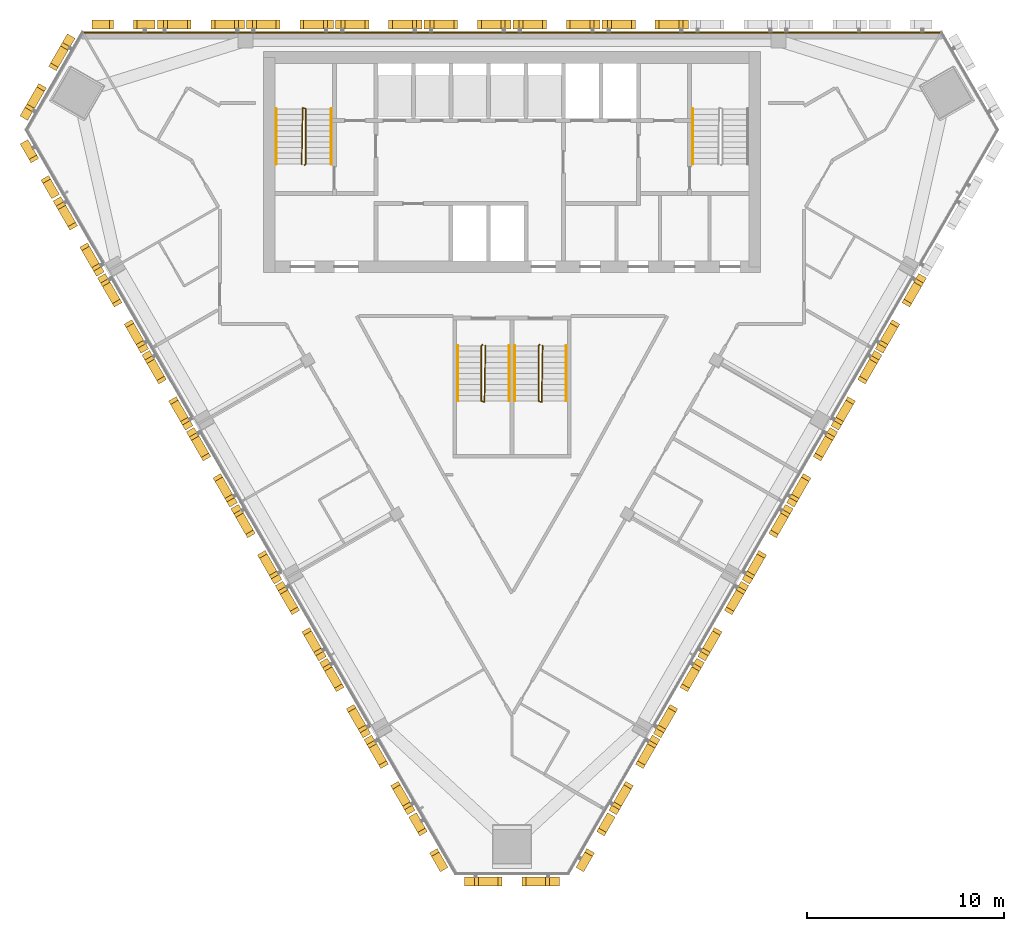
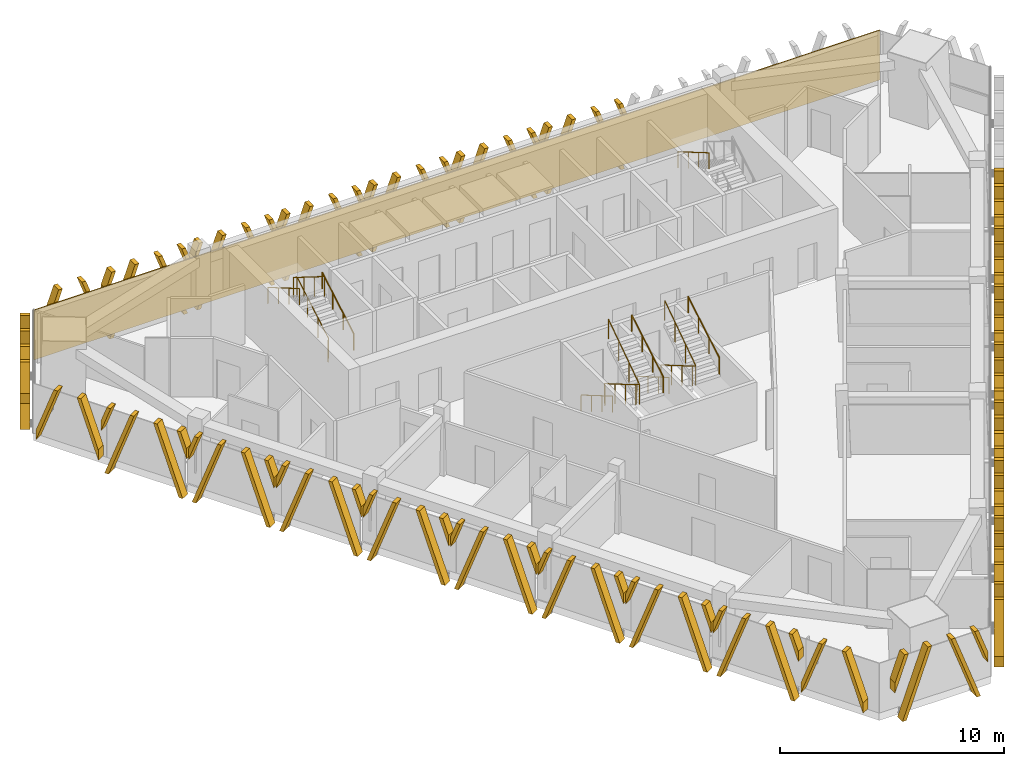
# One storey, part 12 of 14: 27 shading devices, 10 railings, 1 covering.
"""IFC4 building model written with IfcOpenShell, lengths in metres."""

from ifc_helpers import new_model, si_unit, direction, frame, frame_2d, origin, origin_2d, place, context, subcontext, project, spatial, polyline, rectangle, circle, outline, extrude, source, transform, mapped, material, layer, layer_set, type_object, element, save


model = new_model("IFC4")

# Units and contexts
model_context = context("Model", 3, precision=1e-05, world=origin(), true_north=direction((0.0, 1.0)))
body_context = subcontext(model_context, "Body", "Model", "MODEL_VIEW")
ifc_project = project(units=[si_unit("LENGTHUNIT", "METRE"), si_unit("AREAUNIT", "SQUARE_METRE"), si_unit("VOLUMEUNIT", "CUBIC_METRE"), si_unit("PLANEANGLEUNIT", "RADIAN"), si_unit("MASSUNIT", "GRAM", prefix="KILO")], contexts=[model_context])

# Site, building, storey
site_placement = place(None, origin())
site = spatial("IfcSite", under=ifc_project, at=site_placement, CompositionType="ELEMENT")
building_placement = place(site_placement, origin())
building = spatial("IfcBuilding", under=site, at=building_placement, Name="Altiplano Prism Tower", CompositionType="ELEMENT")
storey_placement = place(building_placement, frame((0.0, 0.0, 226.60009765625)))
storey = spatial("IfcBuildingStorey", under=building, at=storey_placement, Name="L58", CompositionType="ELEMENT", Elevation=226.60009765625)

# Railings
ifc_material_1 = material(Name="Steel S355", Category="steel")
railing_type_1 = type_object("IfcRailingType", Name="Stair guard 1100", PredefinedType="GUARDRAIL", material=ifc_material_1)
railing_1_placement = place(storey_placement, frame((74.5, 98.25, 0.0)))
element("IfcRailing", 1, at=railing_1_placement, inside=storey, type_object=railing_type_1, Name="L58 ST1 stair guard 1", PredefinedType="GUARDRAIL", context=body_context, shape_type="SweptSolid", body=[
    extrude(circle(Radius=0.02392578125, at=origin_2d()), frame((0.0, 0.0, 1.076171875), z_axis=(0.280808744504, 0.280808744504, 0.917765164963), x_axis=(-0.707106781187, 0.707106781187, 0.0)), (0.0, 0.0, 1.0), 0.17822265625),
    extrude(circle(Radius=0.02392578125, at=origin_2d()), frame((0.050048828125, 0.050048828125, 1.23974609375), z_axis=(0.0, 0.863393664356, 0.504530851732), x_axis=(-1.0, 0.0, 0.0)), (0.0, 0.0, 1.0), 3.2431640625),
    extrude(circle(Radius=0.02392578125, at=origin_2d()), frame((0.050048828125, 2.85009765625, 2.8759765625), z_axis=(-0.949145278916, 0.314838433982, 0.0), x_axis=(-0.314838433982, -0.949145278916, 0.0)), (0.0, 0.0, 1.0), 0.158203125),
    extrude(circle(Radius=0.02392578125, at=origin_2d()), frame((-0.10009765625, 2.89990234375, 2.8759765625), z_axis=(-0.01477401265, -0.845377694409, 0.533964682676), x_axis=(0.999847325713, -0.01747355902, 0.0)), (0.0, 0.0, 1.0), 3.37109375),
    extrude(circle(Radius=0.02099609375, at=origin_2d()), origin(), (0.0, 0.0, 1.0), 1.052001953125),
    extrude(circle(Radius=0.02099609375, at=origin_2d()), frame((0.050048828125, 0.050048828125, 0.16357421875)), (0.0, 0.0, 1.0), 1.052001953125),
    extrude(circle(Radius=0.02099609375, at=origin_2d()), frame((0.050048828125, 0.9833984375, 0.708984375)), (0.0, 0.0, 1.0), 1.052001953125),
    extrude(circle(Radius=0.02099609375, at=origin_2d()), frame((0.050048828125, 1.916748046875, 1.25439453125)), (0.0, 0.0, 1.0), 1.052001953125),
    extrude(circle(Radius=0.02099609375, at=origin_2d()), frame((0.050048828125, 2.85009765625, 1.7998046875)), (0.0, 0.0, 1.0), 1.052001953125),
    extrude(circle(Radius=0.02099609375, at=origin_2d()), frame((-0.10009765625, 2.89990234375, 1.7998046875)), (0.0, 0.0, 1.0), 1.052001953125),
    extrude(circle(Radius=0.02099609375, at=origin_2d()), frame((-0.11669921875, 1.949951171875, 2.39990234375)), (0.0, 0.0, 1.0), 1.052001953125),
    extrude(circle(Radius=0.02099609375, at=origin_2d()), frame((-0.13330078125, 1.0, 2.999755859375)), (0.0, 0.0, 1.0), 1.052001953125),
    extrude(circle(Radius=0.02099609375, at=origin_2d()), frame((-0.14990234375, 0.050048828125, 3.599853515625)), (0.0, 0.0, 1.0), 1.052001953125),
])
railing_2_placement = place(storey_placement, frame((83.5, 89.14990234375, 0.0)))
element("IfcRailing", 2, at=railing_2_placement, inside=storey, type_object=railing_type_1, Name="L58 ST3A stair guard 1", PredefinedType="GUARDRAIL", context=body_context, shape_type="SweptSolid", body=[
    extrude(circle(Radius=0.02392578125, at=origin_2d()), frame((0.0, 0.0, 1.076171875), z_axis=(-0.280916556609, -0.279546231943, 0.91811752648), x_axis=(0.705375805398, -0.708833529934, 0.0)), (0.0, 0.0, 1.0), 0.17822265625),
    extrude(circle(Radius=0.02392578125, at=origin_2d()), frame((-0.050048828125, -0.0498046875, 1.23974609375), z_axis=(0.0, -0.863393664356, 0.504530851732), x_axis=(1.0, 0.0, 0.0)), (0.0, 0.0, 1.0), 3.2431640625),
    extrude(circle(Radius=0.02392578125, at=origin_2d()), frame((-0.050048828125, -2.849853515625, 2.8759765625), z_axis=(0.948683298051, -0.316227766017, 0.0), x_axis=(0.316227766017, 0.948683298051, 0.0)), (0.0, 0.0, 1.0), 0.158203125),
    extrude(circle(Radius=0.02392578125, at=origin_2d()), frame((0.10009765625, -2.89990234375, 2.8759765625), z_axis=(0.014773108175, 0.84539835705, 0.533931993021), x_axis=(-0.999847351862, 0.017472062685, 0.0)), (0.0, 0.0, 1.0), 3.371337890625),
    extrude(circle(Radius=0.02099609375, at=origin_2d()), origin(), (0.0, 0.0, 1.0), 1.052001953125),
    extrude(circle(Radius=0.02099609375, at=origin_2d()), frame((-0.050048828125, -0.0498046875, 0.16357421875)), (0.0, 0.0, 1.0), 1.052001953125),
    extrude(circle(Radius=0.02099609375, at=origin_2d()), frame((-0.050048828125, -0.983154296875, 0.708984375)), (0.0, 0.0, 1.0), 1.052001953125),
    extrude(circle(Radius=0.02099609375, at=origin_2d()), frame((-0.050048828125, -1.91650390625, 1.25439453125)), (0.0, 0.0, 1.0), 1.052001953125),
    extrude(circle(Radius=0.02099609375, at=origin_2d()), frame((-0.050048828125, -2.849853515625, 1.7998046875)), (0.0, 0.0, 1.0), 1.052001953125),
    extrude(circle(Radius=0.02099609375, at=origin_2d()), frame((0.10009765625, -2.89990234375, 1.7998046875)), (0.0, 0.0, 1.0), 1.052001953125),
    extrude(circle(Radius=0.02099609375, at=origin_2d()), frame((0.11669921875, -1.949951171875, 2.39990234375)), (0.0, 0.0, 1.0), 1.052001953125),
    extrude(circle(Radius=0.02099609375, at=origin_2d()), frame((0.13330078125, -0.999755859375, 2.999755859375)), (0.0, 0.0, 1.0), 1.052001953125),
    extrude(circle(Radius=0.02099609375, at=origin_2d()), frame((0.14990234375, -0.0498046875, 3.599853515625)), (0.0, 0.0, 1.0), 1.052001953125),
])
railing_3_placement = place(storey_placement, frame((86.39990234375, 89.14990234375, 0.0)))
element("IfcRailing", 3, at=railing_3_placement, inside=storey, type_object=railing_type_1, Name="L58 ST3B stair guard 1", PredefinedType="GUARDRAIL", context=body_context, shape_type="SweptSolid", body=[
    extrude(circle(Radius=0.02392578125, at=origin_2d()), frame((0.0, 0.0, 1.076171875), z_axis=(-0.279653641804, -0.279653641804, 0.918470294159), x_axis=(0.707106781187, -0.707106781187, 0.0)), (0.0, 0.0, 1.0), 0.177978515625),
    extrude(circle(Radius=0.02392578125, at=origin_2d()), frame((-0.0498046875, -0.0498046875, 1.23974609375), z_axis=(0.0, -0.863393664356, 0.504530851732), x_axis=(1.0, 0.0, 0.0)), (0.0, 0.0, 1.0), 3.2431640625),
    extrude(circle(Radius=0.02392578125, at=origin_2d()), frame((-0.0498046875, -2.849853515625, 2.8759765625), z_axis=(0.948528701346, -0.316691178788, 0.0), x_axis=(0.316691178788, 0.948528701346, 0.0)), (0.0, 0.0, 1.0), 0.157958984375),
    extrude(circle(Radius=0.02392578125, at=origin_2d()), frame((0.10009765625, -2.89990234375, 2.8759765625), z_axis=(0.014845509451, 0.845397450405, 0.533931420407), x_axis=(-0.999845851991, 0.017557683712, 0.0)), (0.0, 0.0, 1.0), 3.371337890625),
    extrude(circle(Radius=0.02099609375, at=origin_2d()), origin(), (0.0, 0.0, 1.0), 1.052001953125),
    extrude(circle(Radius=0.02099609375, at=origin_2d()), frame((-0.0498046875, -0.0498046875, 0.16357421875)), (0.0, 0.0, 1.0), 1.052001953125),
    extrude(circle(Radius=0.02099609375, at=origin_2d()), frame((-0.0498046875, -0.983154296875, 0.708984375)), (0.0, 0.0, 1.0), 1.052001953125),
    extrude(circle(Radius=0.02099609375, at=origin_2d()), frame((-0.0498046875, -1.91650390625, 1.25439453125)), (0.0, 0.0, 1.0), 1.052001953125),
    extrude(circle(Radius=0.02099609375, at=origin_2d()), frame((-0.0498046875, -2.849853515625, 1.7998046875)), (0.0, 0.0, 1.0), 1.052001953125),
    extrude(circle(Radius=0.02099609375, at=origin_2d()), frame((0.10009765625, -2.89990234375, 1.7998046875)), (0.0, 0.0, 1.0), 1.052001953125),
    extrude(circle(Radius=0.02099609375, at=origin_2d()), frame((0.11669921875, -1.949951171875, 2.39990234375)), (0.0, 0.0, 1.0), 1.052001953125),
    extrude(circle(Radius=0.02099609375, at=origin_2d()), frame((0.133544921875, -0.999755859375, 2.999755859375)), (0.0, 0.0, 1.0), 1.052001953125),
    extrude(circle(Radius=0.02099609375, at=origin_2d()), frame((0.150146484375, -0.0498046875, 3.599853515625)), (0.0, 0.0, 1.0), 1.052001953125),
])
railing_type_2 = type_object("IfcRailingType", Name="Stair handrail 900", PredefinedType="HANDRAIL", material=ifc_material_1)
railing_4_placement = place(storey_placement, frame((75.85009765625, 98.300048828125, 0.16357421875)))
element("IfcRailing", 4, at=railing_4_placement, inside=storey, type_object=railing_type_2, Name="L58 ST1 stair handrail 1", PredefinedType="HANDRAIL", context=body_context, shape_type="SweptSolid", body=[
    extrude(circle(Radius=0.02392578125, at=origin_2d()), frame((0.0, 0.0, 0.8759765625), z_axis=(0.0, 0.863393664356, 0.504530851732), x_axis=(-1.0, 0.0, 0.0)), (0.0, 0.0, 1.0), 3.2431640625),
    extrude(circle(Radius=0.02099609375, at=origin_2d()), origin(), (0.0, 0.0, 1.0), 0.851806640625),
    extrude(circle(Radius=0.02099609375, at=origin_2d()), frame((0.0, 0.933349609375, 0.54541015625)), (0.0, 0.0, 1.0), 0.851806640625),
    extrude(circle(Radius=0.02099609375, at=origin_2d()), frame((0.0, 1.86669921875, 1.0908203125)), (0.0, 0.0, 1.0), 0.851806640625),
    extrude(circle(Radius=0.02099609375, at=origin_2d()), frame((0.0, 2.800048828125, 1.63623046875)), (0.0, 0.0, 1.0), 0.851806640625),
])
for number, where, name in (
    (5, (73.050048828125, 101.10009765625, 1.963623046875), "L58 ST1 stair handrail 2"),
    (6, (94.14990234375, 101.10009765625, 1.963623046875), "L58 ST2 stair handrail 2"),
    (7, (82.25, 89.10009765625, 0.16357421875), "L58 ST3A stair handrail 1"),
):
    element("IfcRailing", number, at=place(storey_placement, frame(where)), inside=storey, type_object=railing_type_2, Name=name, PredefinedType="HANDRAIL", context=body_context, shape_type="SweptSolid", body=[
        extrude(circle(Radius=0.02392578125, at=origin_2d()), frame((0.0, 0.0, 0.8759765625), z_axis=(0.0, -0.863393664356, 0.504530851732), x_axis=(1.0, 0.0, 0.0)), (0.0, 0.0, 1.0), 3.2431640625),
        extrude(circle(Radius=0.02099609375, at=origin_2d()), origin(), (0.0, 0.0, 1.0), 0.851806640625),
        extrude(circle(Radius=0.02099609375, at=origin_2d()), frame((0.0, -0.933349609375, 0.54541015625)), (0.0, 0.0, 1.0), 0.851806640625),
        extrude(circle(Radius=0.02099609375, at=origin_2d()), frame((0.0, -1.86669921875, 1.0908203125)), (0.0, 0.0, 1.0), 0.851806640625),
        extrude(circle(Radius=0.02099609375, at=origin_2d()), frame((0.0, -2.800048828125, 1.63623046875)), (0.0, 0.0, 1.0), 0.851806640625),
    ])
railing_5_placement = place(storey_placement, frame((84.85009765625, 86.300048828125, 1.963623046875)))
element("IfcRailing", 8, at=railing_5_placement, inside=storey, type_object=railing_type_2, Name="L58 ST3A stair handrail 2", PredefinedType="HANDRAIL", context=body_context, shape_type="SweptSolid", body=[
    extrude(circle(Radius=0.02392578125, at=origin_2d()), frame((0.0, 0.0, 0.8759765625), z_axis=(0.0, 0.863393664356, 0.504530851732), x_axis=(-1.0, 0.0, 0.0)), (0.0, 0.0, 1.0), 3.2431640625),
    extrude(circle(Radius=0.02099609375, at=origin_2d()), origin(), (0.0, 0.0, 1.0), 0.851806640625),
    extrude(circle(Radius=0.02099609375, at=origin_2d()), frame((0.0, 0.933349609375, 0.54541015625)), (0.0, 0.0, 1.0), 0.851806640625),
    extrude(circle(Radius=0.02099609375, at=origin_2d()), frame((0.0, 1.86669921875, 1.0908203125)), (0.0, 0.0, 1.0), 0.851806640625),
    extrude(circle(Radius=0.02099609375, at=origin_2d()), frame((0.0, 2.800048828125, 1.63623046875)), (0.0, 0.0, 1.0), 0.851806640625),
])
railing_6_placement = place(storey_placement, frame((85.14990234375, 89.10009765625, 0.16357421875)))
element("IfcRailing", 9, at=railing_6_placement, inside=storey, type_object=railing_type_2, Name="L58 ST3B stair handrail 1", PredefinedType="HANDRAIL", context=body_context, shape_type="SweptSolid", body=[
    extrude(circle(Radius=0.02392578125, at=origin_2d()), frame((0.0, 0.0, 0.8759765625), z_axis=(0.0, -0.863393664356, 0.504530851732), x_axis=(1.0, 0.0, 0.0)), (0.0, 0.0, 1.0), 3.2431640625),
    extrude(circle(Radius=0.02099609375, at=origin_2d()), origin(), (0.0, 0.0, 1.0), 0.851806640625),
    extrude(circle(Radius=0.02099609375, at=origin_2d()), frame((0.0, -0.933349609375, 0.54541015625)), (0.0, 0.0, 1.0), 0.851806640625),
    extrude(circle(Radius=0.02099609375, at=origin_2d()), frame((0.0, -1.86669921875, 1.0908203125)), (0.0, 0.0, 1.0), 0.851806640625),
    extrude(circle(Radius=0.02099609375, at=origin_2d()), frame((0.0, -2.800048828125, 1.63623046875)), (0.0, 0.0, 1.0), 0.851806640625),
])
railing_7_placement = place(storey_placement, frame((87.75, 86.300048828125, 1.963623046875)))
element("IfcRailing", 10, at=railing_7_placement, inside=storey, type_object=railing_type_2, Name="L58 ST3B stair handrail 2", PredefinedType="HANDRAIL", context=body_context, shape_type="SweptSolid", body=[
    extrude(circle(Radius=0.02392578125, at=origin_2d()), frame((0.0, 0.0, 0.8759765625), z_axis=(0.0, 0.863393664356, 0.504530851732), x_axis=(-1.0, 0.0, 0.0)), (0.0, 0.0, 1.0), 3.2431640625),
    extrude(circle(Radius=0.02099609375, at=origin_2d()), origin(), (0.0, 0.0, 1.0), 0.851806640625),
    extrude(circle(Radius=0.02099609375, at=origin_2d()), frame((0.0, 0.933349609375, 0.54541015625)), (0.0, 0.0, 1.0), 0.851806640625),
    extrude(circle(Radius=0.02099609375, at=origin_2d()), frame((0.0, 1.86669921875, 1.0908203125)), (0.0, 0.0, 1.0), 0.851806640625),
    extrude(circle(Radius=0.02099609375, at=origin_2d()), frame((0.0, 2.800048828125, 1.63623046875)), (0.0, 0.0, 1.0), 0.851806640625),
])

# Covering
ifc_material_2 = material(Name="Warm limestone cast stone", Category="masonry")
ifc_layer = layer(ifc_material_2, 0.06005859375)
ifc_layer_set = layer_set([ifc_layer], Name="Warm limestone cast stone")
covering_type = type_object("IfcCoveringType", Name="Stone cladding 60", PredefinedType="CLADDING", material=ifc_layer_set)
covering_placement = place(storey_placement, frame((63.229248046875, 104.969970703125, 0.0), z_axis=(0.0, 0.0, 1.0), x_axis=(1.0, 0.0, 0.0)))
element("IfcCovering", 11, at=covering_placement, inside=storey, type_object=covering_type, Name="Stone cladding north face L58", PredefinedType="CLADDING", context=body_context, shape_type="SweptSolid", body=[
    extrude(rectangle(XDim=43.54150390625, YDim=0.06005859375, at=frame_2d((21.770751953125, 0.0))), origin(), (0.0, 0.0, 1.0), 2.699951171875),
])

# Shading devices
shading_device_type_1 = type_object("IfcShadingDeviceType", Name="Stone fin panel, narrow closing bay", PredefinedType="USERDEFINED", material=ifc_material_2)
shared_shape_1 = source(origin(), body_context, "Body", "SweptSolid", [
    extrude(outline(polyline([(-1.60009765625, 0.577880859375), (-0.5, 3.60009765625), (-0.699951171875, 3.60009765625), (-1.60009765625, 1.127197265625), (-1.60009765625, 0.577880859375)])), frame((0.0, -0.14990234375, 0.0), z_axis=(0.0, -1.0, 0.0), x_axis=(1.0, 0.0, 0.0)), (0.0, 0.0, 1.0), 0.4501953125),
    extrude(outline(polyline([(1.60009765625, 1.127197265625), (0.699951171875, 3.60009765625), (0.5, 3.60009765625), (1.60009765625, 0.577880859375), (1.60009765625, 1.127197265625)])), frame((0.0, -0.14990234375, 0.0), z_axis=(0.0, -1.0, 0.0), x_axis=(1.0, 0.0, 0.0)), (0.0, 0.0, 1.0), 0.4501953125),
])
shading_device_1_placement = place(storey_placement, origin())
element("IfcShadingDevice", 12, at=shading_device_1_placement, inside=storey, type_object=shading_device_type_1, Name="Fin L58 north face 10", ObjectType="FIN", PredefinedType="USERDEFINED", context=body_context, shape_type="MappedRepresentation", body=[
    mapped(shared_shape_1, transform((65.314697265625, 105.0, -0.400146484375), x_axis=(-1.0, 0.0, 0.0), y_axis=(0.0, -1.0, 0.0), z_axis=(0.0, 0.0, 1.0))),
])
shading_device_2_placement = place(storey_placement, origin())
element("IfcShadingDevice", 13, at=shading_device_2_placement, inside=storey, type_object=shading_device_type_1, Name="Fin L58 south-west face 1", ObjectType="FIN", PredefinedType="USERDEFINED", context=body_context, shape_type="MappedRepresentation", body=[
    mapped(shared_shape_1, transform((61.40576171875, 98.2294921875, -0.400146484375), x_axis=(0.500000003773, -0.866025401606, 0.0), y_axis=(0.866025401606, 0.500000003773, 0.0), z_axis=(0.0, 0.0, 1.0))),
])
shading_device_3_placement = place(storey_placement, origin())
element("IfcShadingDevice", 14, at=shading_device_3_placement, inside=storey, type_object=shading_device_type_1, Name="Fin L58 south-west face 10", ObjectType="FIN", PredefinedType="USERDEFINED", context=body_context, shape_type="MappedRepresentation", body=[
    mapped(shared_shape_1, transform((81.091064453125, 64.133544921875, -0.400146484375), x_axis=(0.500000003773, -0.866025401606, 0.0), y_axis=(0.866025401606, 0.500000003773, 0.0), z_axis=(0.0, 0.0, 1.0))),
])
shading_device_4_placement = place(storey_placement, origin())
element("IfcShadingDevice", 15, at=shading_device_4_placement, inside=storey, type_object=shading_device_type_1, Name="Fin L58 south-east face 1", ObjectType="FIN", PredefinedType="USERDEFINED", context=body_context, shape_type="MappedRepresentation", body=[
    mapped(shared_shape_1, transform((88.908935546875, 64.133544921875, -0.400146484375), x_axis=(0.500000003773, 0.866025401606, 0.0), y_axis=(-0.866025401606, 0.500000003773, 0.0), z_axis=(0.0, 0.0, 1.0))),
])
shading_device_type_2 = type_object("IfcShadingDeviceType", Name="Stone fin panel, standard unit", PredefinedType="USERDEFINED", material=ifc_material_2)
shared_shape_2 = source(origin(), body_context, "Body", "SweptSolid", [
    extrude(outline(polyline([(-2.199951171875, 2.226318359375), (-1.699951171875, 3.60009765625), (-1.89990234375, 3.60009765625), (-2.199951171875, 2.77587890625), (-2.199951171875, 2.226318359375)])), frame((0.0, -0.14990234375, 0.0), z_axis=(0.0, -1.0, 0.0), x_axis=(1.0, 0.0, 0.0)), (0.0, 0.0, 1.0), 0.4501953125),
    extrude(outline(polyline([(-2.01025390625, 0.0), (-1.810302734375, 0.0), (-0.5, 3.60009765625), (-0.699951171875, 3.60009765625), (-2.01025390625, 0.0)])), frame((0.0, -0.14990234375, 0.0), z_axis=(0.0, -1.0, 0.0), x_axis=(1.0, 0.0, 0.0)), (0.0, 0.0, 1.0), 0.4501953125),
    extrude(outline(polyline([(1.810302734375, 0.0), (2.01025390625, 0.0), (0.699951171875, 3.60009765625), (0.5, 3.60009765625), (1.810302734375, 0.0)])), frame((0.0, -0.14990234375, 0.0), z_axis=(0.0, -1.0, 0.0), x_axis=(1.0, 0.0, 0.0)), (0.0, 0.0, 1.0), 0.4501953125),
    extrude(outline(polyline([(2.199951171875, 2.77587890625), (1.89990234375, 3.60009765625), (1.699951171875, 3.60009765625), (2.199951171875, 2.226318359375), (2.199951171875, 2.77587890625)])), frame((0.0, -0.14990234375, 0.0), z_axis=(0.0, -1.0, 0.0), x_axis=(1.0, 0.0, 0.0)), (0.0, 0.0, 1.0), 0.4501953125),
])
shading_device_5_placement = place(storey_placement, origin())
element("IfcShadingDevice", 16, at=shading_device_5_placement, inside=storey, type_object=shading_device_type_2, Name="Fin L58 north face 4", ObjectType="FIN", PredefinedType="USERDEFINED", context=body_context, shape_type="MappedRepresentation", body=[
    mapped(shared_shape_2, transform((91.75, 105.0, -0.400146484375), x_axis=(-1.0, 0.0, 0.0), y_axis=(0.0, -1.0, 0.0), z_axis=(0.0, 0.0, 1.0))),
])
shading_device_6_placement = place(storey_placement, origin())
element("IfcShadingDevice", 17, at=shading_device_6_placement, inside=storey, type_object=shading_device_type_2, Name="Fin L58 north face 5", ObjectType="FIN", PredefinedType="USERDEFINED", context=body_context, shape_type="MappedRepresentation", body=[
    mapped(shared_shape_2, transform((87.25, 105.0, -0.400146484375), x_axis=(-1.0, 0.0, 0.0), y_axis=(0.0, -1.0, 0.0), z_axis=(0.0, 0.0, 1.0))),
])
shading_device_7_placement = place(storey_placement, origin())
element("IfcShadingDevice", 18, at=shading_device_7_placement, inside=storey, type_object=shading_device_type_2, Name="Fin L58 north face 6", ObjectType="FIN", PredefinedType="USERDEFINED", context=body_context, shape_type="MappedRepresentation", body=[
    mapped(shared_shape_2, transform((82.75, 105.0, -0.400146484375), x_axis=(-1.0, 0.0, 0.0), y_axis=(0.0, -1.0, 0.0), z_axis=(0.0, 0.0, 1.0))),
])
shading_device_8_placement = place(storey_placement, origin())
element("IfcShadingDevice", 19, at=shading_device_8_placement, inside=storey, type_object=shading_device_type_2, Name="Fin L58 north face 7", ObjectType="FIN", PredefinedType="USERDEFINED", context=body_context, shape_type="MappedRepresentation", body=[
    mapped(shared_shape_2, transform((78.25, 105.0, -0.400146484375), x_axis=(-1.0, 0.0, 0.0), y_axis=(0.0, -1.0, 0.0), z_axis=(0.0, 0.0, 1.0))),
])
shading_device_9_placement = place(storey_placement, origin())
element("IfcShadingDevice", 20, at=shading_device_9_placement, inside=storey, type_object=shading_device_type_2, Name="Fin L58 north face 8", ObjectType="FIN", PredefinedType="USERDEFINED", context=body_context, shape_type="MappedRepresentation", body=[
    mapped(shared_shape_2, transform((73.75, 105.0, -0.400146484375), x_axis=(-1.0, 0.0, 0.0), y_axis=(0.0, -1.0, 0.0), z_axis=(0.0, 0.0, 1.0))),
])
shading_device_10_placement = place(storey_placement, origin())
element("IfcShadingDevice", 21, at=shading_device_10_placement, inside=storey, type_object=shading_device_type_2, Name="Fin L58 north face 9", ObjectType="FIN", PredefinedType="USERDEFINED", context=body_context, shape_type="MappedRepresentation", body=[
    mapped(shared_shape_2, transform((69.25, 105.0, -0.400146484375), x_axis=(-1.0, 0.0, 0.0), y_axis=(0.0, -1.0, 0.0), z_axis=(0.0, 0.0, 1.0))),
])
shading_device_11_placement = place(storey_placement, origin())
element("IfcShadingDevice", 22, at=shading_device_11_placement, inside=storey, type_object=shading_device_type_2, Name="Fin L58 south-west face 2", ObjectType="FIN", PredefinedType="USERDEFINED", context=body_context, shape_type="MappedRepresentation", body=[
    mapped(shared_shape_2, transform((63.37353515625, 94.821533203125, -0.400146484375), x_axis=(0.500000003773, -0.866025401606, 0.0), y_axis=(0.866025401606, 0.500000003773, 0.0), z_axis=(0.0, 0.0, 1.0))),
])
shading_device_12_placement = place(storey_placement, origin())
element("IfcShadingDevice", 23, at=shading_device_12_placement, inside=storey, type_object=shading_device_type_2, Name="Fin L58 south-west face 3", ObjectType="FIN", PredefinedType="USERDEFINED", context=body_context, shape_type="MappedRepresentation", body=[
    mapped(shared_shape_2, transform((65.62353515625, 90.92431640625, -0.400146484375), x_axis=(0.500000003773, -0.866025401606, 0.0), y_axis=(0.866025401606, 0.500000003773, 0.0), z_axis=(0.0, 0.0, 1.0))),
])
shading_device_13_placement = place(storey_placement, origin())
element("IfcShadingDevice", 24, at=shading_device_13_placement, inside=storey, type_object=shading_device_type_2, Name="Fin L58 south-west face 4", ObjectType="FIN", PredefinedType="USERDEFINED", context=body_context, shape_type="MappedRepresentation", body=[
    mapped(shared_shape_2, transform((67.87353515625, 87.02734375, -0.400146484375), x_axis=(0.500000003773, -0.866025401606, 0.0), y_axis=(0.866025401606, 0.500000003773, 0.0), z_axis=(0.0, 0.0, 1.0))),
])
shading_device_14_placement = place(storey_placement, origin())
element("IfcShadingDevice", 25, at=shading_device_14_placement, inside=storey, type_object=shading_device_type_2, Name="Fin L58 south-west face 5", ObjectType="FIN", PredefinedType="USERDEFINED", context=body_context, shape_type="MappedRepresentation", body=[
    mapped(shared_shape_2, transform((70.12353515625, 83.130126953125, -0.400146484375), x_axis=(0.500000003773, -0.866025401606, 0.0), y_axis=(0.866025401606, 0.500000003773, 0.0), z_axis=(0.0, 0.0, 1.0))),
])
shading_device_15_placement = place(storey_placement, origin())
element("IfcShadingDevice", 26, at=shading_device_15_placement, inside=storey, type_object=shading_device_type_2, Name="Fin L58 south-west face 6", ObjectType="FIN", PredefinedType="USERDEFINED", context=body_context, shape_type="MappedRepresentation", body=[
    mapped(shared_shape_2, transform((72.37353515625, 79.233154296875, -0.400146484375), x_axis=(0.500000003773, -0.866025401606, 0.0), y_axis=(0.866025401606, 0.500000003773, 0.0), z_axis=(0.0, 0.0, 1.0))),
])
shading_device_16_placement = place(storey_placement, origin())
element("IfcShadingDevice", 27, at=shading_device_16_placement, inside=storey, type_object=shading_device_type_2, Name="Fin L58 south-west face 7", ObjectType="FIN", PredefinedType="USERDEFINED", context=body_context, shape_type="MappedRepresentation", body=[
    mapped(shared_shape_2, transform((74.62353515625, 75.3359375, -0.400146484375), x_axis=(0.500000003773, -0.866025401606, 0.0), y_axis=(0.866025401606, 0.500000003773, 0.0), z_axis=(0.0, 0.0, 1.0))),
])
shading_device_17_placement = place(storey_placement, origin())
element("IfcShadingDevice", 28, at=shading_device_17_placement, inside=storey, type_object=shading_device_type_2, Name="Fin L58 south-west face 8", ObjectType="FIN", PredefinedType="USERDEFINED", context=body_context, shape_type="MappedRepresentation", body=[
    mapped(shared_shape_2, transform((76.87353515625, 71.438720703125, -0.400146484375), x_axis=(0.500000003773, -0.866025401606, 0.0), y_axis=(0.866025401606, 0.500000003773, 0.0), z_axis=(0.0, 0.0, 1.0))),
])
shading_device_18_placement = place(storey_placement, origin())
element("IfcShadingDevice", 29, at=shading_device_18_placement, inside=storey, type_object=shading_device_type_2, Name="Fin L58 south-west face 9", ObjectType="FIN", PredefinedType="USERDEFINED", context=body_context, shape_type="MappedRepresentation", body=[
    mapped(shared_shape_2, transform((79.12353515625, 67.541748046875, -0.400146484375), x_axis=(0.500000003773, -0.866025401606, 0.0), y_axis=(0.866025401606, 0.500000003773, 0.0), z_axis=(0.0, 0.0, 1.0))),
])
shading_device_19_placement = place(storey_placement, origin())
element("IfcShadingDevice", 30, at=shading_device_19_placement, inside=storey, type_object=shading_device_type_2, Name="Fin L58 south-east face 2", ObjectType="FIN", PredefinedType="USERDEFINED", context=body_context, shape_type="MappedRepresentation", body=[
    mapped(shared_shape_2, transform((90.87646484375, 67.541748046875, -0.400146484375), x_axis=(0.500000003773, 0.866025401606, 0.0), y_axis=(-0.866025401606, 0.500000003773, 0.0), z_axis=(0.0, 0.0, 1.0))),
])
shading_device_20_placement = place(storey_placement, origin())
element("IfcShadingDevice", 31, at=shading_device_20_placement, inside=storey, type_object=shading_device_type_2, Name="Fin L58 south-east face 3", ObjectType="FIN", PredefinedType="USERDEFINED", context=body_context, shape_type="MappedRepresentation", body=[
    mapped(shared_shape_2, transform((93.12646484375, 71.438720703125, -0.400146484375), x_axis=(0.500000003773, 0.866025401606, 0.0), y_axis=(-0.866025401606, 0.500000003773, 0.0), z_axis=(0.0, 0.0, 1.0))),
])
shading_device_21_placement = place(storey_placement, origin())
element("IfcShadingDevice", 32, at=shading_device_21_placement, inside=storey, type_object=shading_device_type_2, Name="Fin L58 south-east face 4", ObjectType="FIN", PredefinedType="USERDEFINED", context=body_context, shape_type="MappedRepresentation", body=[
    mapped(shared_shape_2, transform((95.37646484375, 75.3359375, -0.400146484375), x_axis=(0.500000003773, 0.866025401606, 0.0), y_axis=(-0.866025401606, 0.500000003773, 0.0), z_axis=(0.0, 0.0, 1.0))),
])
shading_device_22_placement = place(storey_placement, origin())
element("IfcShadingDevice", 33, at=shading_device_22_placement, inside=storey, type_object=shading_device_type_2, Name="Fin L58 south-east face 5", ObjectType="FIN", PredefinedType="USERDEFINED", context=body_context, shape_type="MappedRepresentation", body=[
    mapped(shared_shape_2, transform((97.62646484375, 79.233154296875, -0.400146484375), x_axis=(0.500000003773, 0.866025401606, 0.0), y_axis=(-0.866025401606, 0.500000003773, 0.0), z_axis=(0.0, 0.0, 1.0))),
])
shading_device_23_placement = place(storey_placement, origin())
element("IfcShadingDevice", 34, at=shading_device_23_placement, inside=storey, type_object=shading_device_type_2, Name="Fin L58 south-east face 6", ObjectType="FIN", PredefinedType="USERDEFINED", context=body_context, shape_type="MappedRepresentation", body=[
    mapped(shared_shape_2, transform((99.87646484375, 83.130126953125, -0.400146484375), x_axis=(0.500000003773, 0.866025401606, 0.0), y_axis=(-0.866025401606, 0.500000003773, 0.0), z_axis=(0.0, 0.0, 1.0))),
])
shading_device_24_placement = place(storey_placement, origin())
element("IfcShadingDevice", 35, at=shading_device_24_placement, inside=storey, type_object=shading_device_type_2, Name="Fin L58 south-east face 7", ObjectType="FIN", PredefinedType="USERDEFINED", context=body_context, shape_type="MappedRepresentation", body=[
    mapped(shared_shape_2, transform((102.12646484375, 87.02734375, -0.400146484375), x_axis=(0.500000003773, 0.866025401606, 0.0), y_axis=(-0.866025401606, 0.500000003773, 0.0), z_axis=(0.0, 0.0, 1.0))),
])
shading_device_25_placement = place(storey_placement, origin())
element("IfcShadingDevice", 36, at=shading_device_25_placement, inside=storey, type_object=shading_device_type_2, Name="Fin L58 south-east face 8", ObjectType="FIN", PredefinedType="USERDEFINED", context=body_context, shape_type="MappedRepresentation", body=[
    mapped(shared_shape_2, transform((104.37646484375, 90.92431640625, -0.400146484375), x_axis=(0.500000003773, 0.866025401606, 0.0), y_axis=(-0.866025401606, 0.500000003773, 0.0), z_axis=(0.0, 0.0, 1.0))),
])
shading_device_type_3 = type_object("IfcShadingDeviceType", Name="Stone fin panel, chamfer unit", PredefinedType="USERDEFINED", material=ifc_material_2)
shared_shape_3 = source(origin(), body_context, "Body", "SweptSolid", [
    extrude(outline(polyline([(-2.39990234375, 1.6767578125), (-1.699951171875, 3.60009765625), (-1.89990234375, 3.60009765625), (-2.39990234375, 2.226318359375), (-2.39990234375, 1.6767578125)])), frame((0.0, -0.14990234375, 0.0), z_axis=(0.0, -1.0, 0.0), x_axis=(1.0, 0.0, 0.0)), (0.0, 0.0, 1.0), 0.4501953125),
    extrude(outline(polyline([(-2.01025390625, 0.0), (-1.810302734375, 0.0), (-0.5, 3.60009765625), (-0.699951171875, 3.60009765625), (-2.01025390625, 0.0)])), frame((0.0, -0.14990234375, 0.0), z_axis=(0.0, -1.0, 0.0), x_axis=(1.0, 0.0, 0.0)), (0.0, 0.0, 1.0), 0.4501953125),
    extrude(outline(polyline([(1.810302734375, 0.0), (2.01025390625, 0.0), (0.699951171875, 3.60009765625), (0.5, 3.60009765625), (1.810302734375, 0.0)])), frame((0.0, -0.14990234375, 0.0), z_axis=(0.0, -1.0, 0.0), x_axis=(1.0, 0.0, 0.0)), (0.0, 0.0, 1.0), 0.4501953125),
    extrude(outline(polyline([(2.39990234375, 2.226318359375), (1.89990234375, 3.60009765625), (1.699951171875, 3.60009765625), (2.39990234375, 1.6767578125), (2.39990234375, 2.226318359375)])), frame((0.0, -0.14990234375, 0.0), z_axis=(0.0, -1.0, 0.0), x_axis=(1.0, 0.0, 0.0)), (0.0, 0.0, 1.0), 0.4501953125),
])
shading_device_26_placement = place(storey_placement, origin())
element("IfcShadingDevice", 37, at=shading_device_26_placement, inside=storey, type_object=shading_device_type_3, Name="Fin L58 north-west chamfer 1", ObjectType="FIN", PredefinedType="USERDEFINED", context=body_context, shape_type="MappedRepresentation", body=[
    mapped(shared_shape_3, transform((61.796142578125, 102.517822265625, -0.400146484375), x_axis=(-0.499999994858, -0.866025406753, 0.0), y_axis=(0.866025406753, -0.499999994858, 0.0), z_axis=(0.0, 0.0, 1.0))),
])
shading_device_27_placement = place(storey_placement, origin())
element("IfcShadingDevice", 38, at=shading_device_27_placement, inside=storey, type_object=shading_device_type_3, Name="Fin L58 south chamfer 1", ObjectType="FIN", PredefinedType="USERDEFINED", context=body_context, shape_type="MappedRepresentation", body=[
    mapped(shared_shape_3, transform((85.0, 62.32763671875, -0.400146484375), x_axis=(1.0, 0.0, 0.0), y_axis=(0.0, 1.0, 0.0), z_axis=(0.0, 0.0, 1.0))),
])

save(model, "model.ifc")
